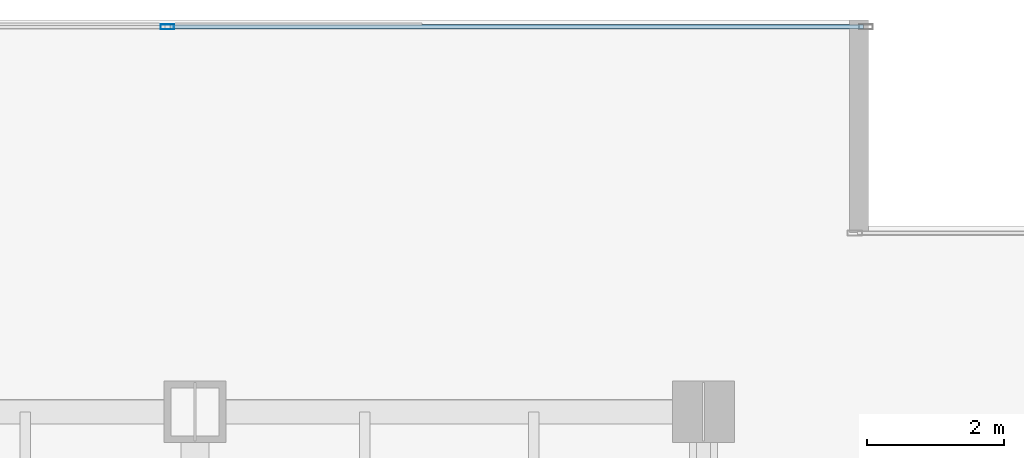
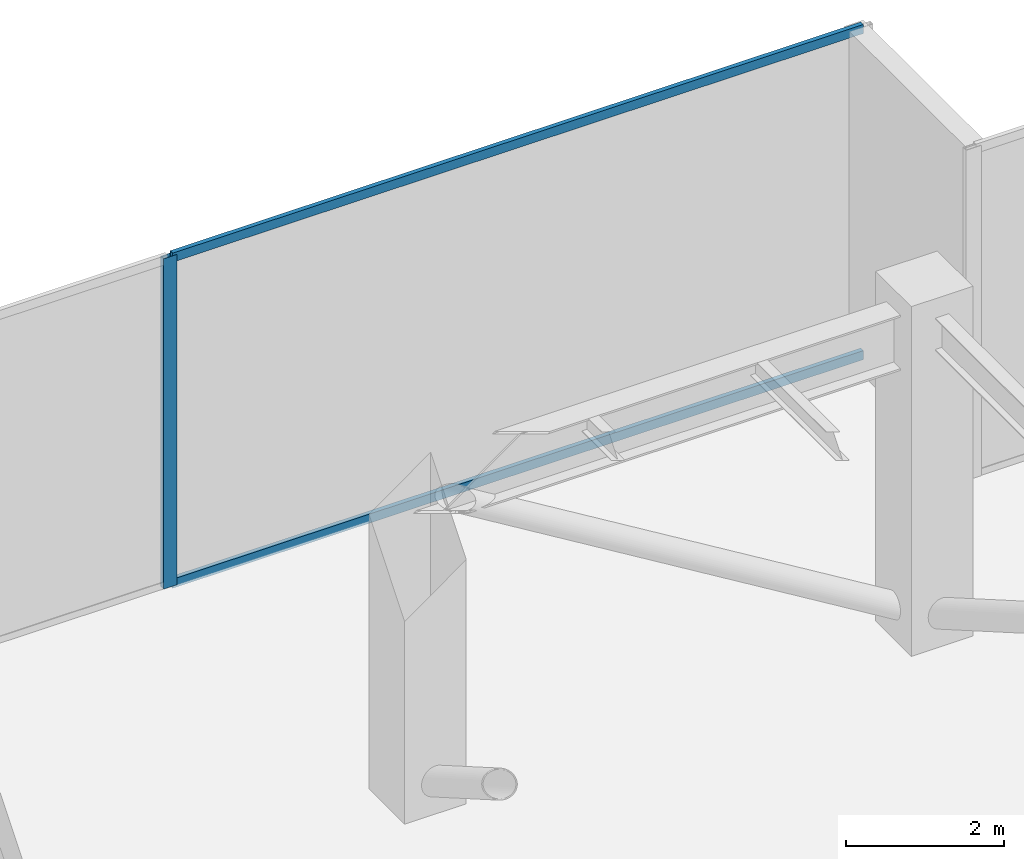
# One storey, part 20 of 34: 3 members, 1 element without a shape of its own.
"""IFC4 building model written with IfcOpenShell, lengths in metres."""

from ifc_helpers import new_model, si_unit, direction, frame, origin, origin_2d, place, context, subcontext, project, spatial, hollow_rectangle, extrude, source, transform, mapped, material, layer, layer_set, material_profile, profile_set, type_object, type_shapes, element, aggregate, save


model = new_model("IFC4")

# Units and contexts
model_context = context("Model", 3, precision=1e-05, world=origin(), true_north=direction((0.0, 1.0)))
body_context = subcontext(model_context, "Body", "Model", "MODEL_VIEW")
ifc_project = project(units=[si_unit("LENGTHUNIT", "METRE"), si_unit("AREAUNIT", "SQUARE_METRE"), si_unit("VOLUMEUNIT", "CUBIC_METRE"), si_unit("PLANEANGLEUNIT", "RADIAN"), si_unit("MASSUNIT", "GRAM", prefix="KILO")], contexts=[model_context])

# Site, building, storey
site_placement = place(None, origin())
site = spatial("IfcSite", under=ifc_project, at=site_placement, CompositionType="ELEMENT")
building_placement = place(site_placement, origin())
building = spatial("IfcBuilding", under=site, at=building_placement, Name="Haelvirn Gate Laboratories", CompositionType="ELEMENT")
storey_placement = place(building_placement, frame((0.0, 0.0, 191.199951171875)))
storey = spatial("IfcBuildingStorey", under=building, at=storey_placement, Name="L46", CompositionType="ELEMENT", Elevation=191.199951171875)

# Curtain wall, members
ifc_material_1 = material(Name="Anodised bronze unitised aluminium & triple low-E glass", Category="aluminium")
ifc_layer = layer(ifc_material_1, 0.179931640625, Name="CW-SYS-3")
ifc_layer_set = layer_set([ifc_layer], Name="Anodised bronze unitised aluminium & triple low-E glass")
curtain_wall_type = type_object("IfcCurtainWallType", Name="CW-SYS-3", PredefinedType="NOTDEFINED", material=ifc_layer_set)
curtain_wall_placement = place(storey_placement, origin())
curtain_wall = element("IfcCurtainWall", 1, at=curtain_wall_placement, inside=storey, type_object=curtain_wall_type, Name="L46 Unitised Curtain Wall CW-L46-P0-E10-1", PredefinedType="NOTDEFINED")
ifc_material_2 = material(Name="Extruded aluminium 6063-T6 (anodised bronze)", Category="aluminium")
ifc_material_profile_1 = material_profile(ifc_material_2, hollow_rectangle(XDim=0.06494140625, YDim=0.139892578125, WallThickness=0.00390625, at=origin_2d()), Name="CWT-140x65x4")
ifc_profile_set_1 = profile_set([ifc_material_profile_1], Name="Extruded aluminium 6063-T6 (anodised bronze)")
member_type_1 = type_object("IfcMemberType", Name="CWT-T140", PredefinedType="USERDEFINED", material=ifc_profile_set_1)
shared_shape_1 = source(origin(), body_context, "Body", "SweptSolid", [
    extrude(hollow_rectangle(XDim=0.06494140625, YDim=0.139892578125, WallThickness=0.00390625, at=origin_2d()), origin(), (0.0, 0.0, 1.0), 10.087646484375),
])
type_shapes(member_type_1, [shared_shape_1])
member_1_placement = place(storey_placement, frame((59.637451171875, 47.199951171875, 0.032470703125), z_axis=(1.0, 0.0, 0.0), x_axis=(0.0, 1.0, 0.0)))
member_1 = element("IfcMember", 2, at=member_1_placement, type_object=member_type_1, Name="CW3 transom 2.1", ObjectType="TRANSOM", PredefinedType="USERDEFINED", context=body_context, shape_type="MappedRepresentation", body=[
    mapped(shared_shape_1, transform((0.0, 0.0, 0.0), scale=1.0)),
])
member_2_placement = place(storey_placement, frame((59.637451171875, 47.199951171875, 5.067626953125), z_axis=(1.0, 0.0, 0.0), x_axis=(0.0, 1.0, 0.0)))
member_2 = element("IfcMember", 3, at=member_2_placement, type_object=member_type_1, Name="CW3 transom 2.2", ObjectType="TRANSOM", PredefinedType="USERDEFINED", context=body_context, shape_type="MappedRepresentation", body=[
    mapped(shared_shape_1, transform((0.0, 0.0, 0.0), scale=1.0)),
])
ifc_material_profile_2 = material_profile(ifc_material_2, hollow_rectangle(XDim=0.074951171875, YDim=0.199951171875, WallThickness=0.0048828125, at=origin_2d()), Name="CWM-200x75x5")
ifc_profile_set_2 = profile_set([ifc_material_profile_2], Name="Extruded aluminium 6063-T6 (anodised bronze)")
member_type_2 = type_object("IfcMemberType", Name="CWM-T200", PredefinedType="MULLION", material=ifc_profile_set_2)
shared_shape_2 = source(origin(), body_context, "Body", "SweptSolid", [
    extrude(hollow_rectangle(XDim=0.074951171875, YDim=0.199951171875, WallThickness=0.0048828125, at=origin_2d()), origin(), (0.0, 0.0, 1.0), 5.10009765625),
])
type_shapes(member_type_2, [shared_shape_2])
member_3_placement = place(storey_placement, frame((59.60009765625, 47.199951171875, 0.0), z_axis=(0.0, 0.0, 1.0), x_axis=(0.0, 1.0, 0.0)))
member_3 = element("IfcMember", 4, at=member_3_placement, type_object=member_type_2, Name="CW3 mullion 2", PredefinedType="MULLION", context=body_context, shape_type="MappedRepresentation", body=[
    mapped(shared_shape_2, transform((0.0, 0.0, 0.0), scale=1.0)),
])
aggregate(curtain_wall, [member_3, member_1, member_2])

save(model, "model.ifc")
